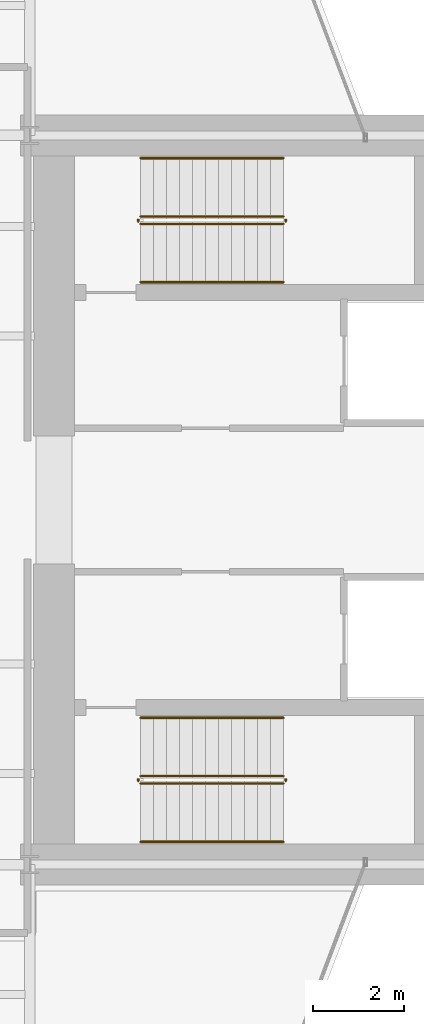
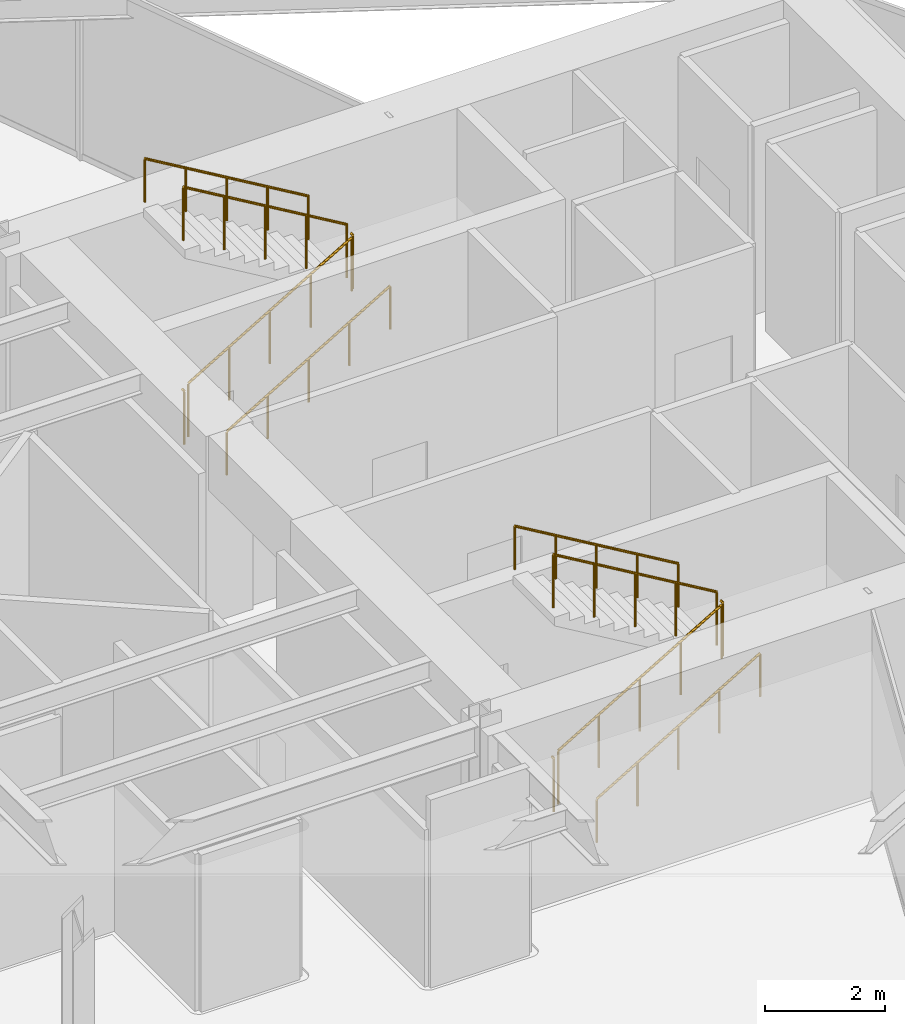
# One storey, part 30 of 30: 12 railings.
"""IFC4 building model written with IfcOpenShell, lengths in metres."""

from ifc_helpers import new_model, si_unit, direction, frame, origin, origin_2d, place, context, subcontext, project, spatial, circle, extrude, material, type_object, element, save


model = new_model("IFC4")

# Units and contexts
model_context = context("Model", 3, precision=1e-05, world=origin(), true_north=direction((0.0, 1.0)))
body_context = subcontext(model_context, "Body", "Model", "MODEL_VIEW")
ifc_project = project(units=[si_unit("LENGTHUNIT", "METRE"), si_unit("AREAUNIT", "SQUARE_METRE"), si_unit("VOLUMEUNIT", "CUBIC_METRE"), si_unit("PLANEANGLEUNIT", "RADIAN"), si_unit("MASSUNIT", "GRAM", prefix="KILO")], contexts=[model_context])

# Site, building, storey
site_placement = place(None, origin())
site = spatial("IfcSite", under=ifc_project, at=site_placement, CompositionType="ELEMENT")
building_placement = place(site_placement, origin())
building = spatial("IfcBuilding", under=site, at=building_placement, Name="Veymaron Broadcast Tower", CompositionType="ELEMENT")
storey_placement = place(building_placement, frame((0.0, 0.0, 37.800048828125)))
storey = spatial("IfcBuildingStorey", under=building, at=storey_placement, Name="L07", CompositionType="ELEMENT", Elevation=37.800048828125)

# Railings
ifc_material_1 = material(Name="Brushed stainless steel AISI 304", Category="steel")
railing_type_1 = type_object("IfcRailingType", Name="RAIL-STAIR-HR", PredefinedType="HANDRAIL", material=ifc_material_1)
railing_1_placement = place(storey_placement, frame((41.429931640625, 28.780029296875, 0.168701171875)))
element("IfcRailing", 1, at=railing_1_placement, inside=storey, type_object=railing_type_1, Name="L07 ST1 stair handrail 1", PredefinedType="HANDRAIL", context=body_context, shape_type="SweptSolid", body=[
    extrude(circle(Radius=0.02392578125, at=origin_2d()), frame((0.0, 0.0, 0.8759765625), z_axis=(0.860481960309, 0.0, 0.509480908359), x_axis=(0.0, 1.0, 0.0)), (0.0, 0.0, 1.0), 3.643310546875),
    extrude(circle(Radius=0.02099609375, at=origin_2d()), origin(), (0.0, 0.0, 1.0), 0.851806640625),
    extrude(circle(Radius=0.02099609375, at=origin_2d()), frame((0.78369140625, 0.0, 0.464111328125)), (0.0, 0.0, 1.0), 0.851806640625),
    extrude(circle(Radius=0.02099609375, at=origin_2d()), frame((1.5673828125, 0.0, 0.92822265625)), (0.0, 0.0, 1.0), 0.851806640625),
    extrude(circle(Radius=0.02099609375, at=origin_2d()), frame((2.351318359375, 0.0, 1.39208984375)), (0.0, 0.0, 1.0), 0.851806640625),
    extrude(circle(Radius=0.02099609375, at=origin_2d()), frame((3.135009765625, 0.0, 1.856201171875)), (0.0, 0.0, 1.0), 0.851806640625),
])
railing_2_placement = place(storey_placement, frame((44.56494140625, 31.5, 2.193603515625)))
element("IfcRailing", 2, at=railing_2_placement, inside=storey, type_object=railing_type_1, Name="L07 ST1 stair handrail 2", PredefinedType="HANDRAIL", context=body_context, shape_type="SweptSolid", body=[
    extrude(circle(Radius=0.02392578125, at=origin_2d()), frame((0.0, 0.0, 0.8759765625), z_axis=(-0.860452582533, 0.0, 0.509530522356), x_axis=(0.0, -1.0, 0.0)), (0.0, 0.0, 1.0), 3.6435546875),
    extrude(circle(Radius=0.02099609375, at=origin_2d()), origin(), (0.0, 0.0, 1.0), 0.851806640625),
    extrude(circle(Radius=0.02099609375, at=origin_2d()), frame((-0.78369140625, 0.0, 0.464111328125)), (0.0, 0.0, 1.0), 0.851806640625),
    extrude(circle(Radius=0.02099609375, at=origin_2d()), frame((-1.5673828125, 0.0, 0.92822265625)), (0.0, 0.0, 1.0), 0.851806640625),
    extrude(circle(Radius=0.02099609375, at=origin_2d()), frame((-2.351318359375, 0.0, 1.392333984375)), (0.0, 0.0, 1.0), 0.851806640625),
    extrude(circle(Radius=0.02099609375, at=origin_2d()), frame((-3.135009765625, 0.0, 1.8564453125)), (0.0, 0.0, 1.0), 0.851806640625),
])
railing_3_placement = place(storey_placement, frame((41.429931640625, 16.5, 0.168701171875)))
element("IfcRailing", 3, at=railing_3_placement, inside=storey, type_object=railing_type_1, Name="L07 ST2 stair handrail 1", PredefinedType="HANDRAIL", context=body_context, shape_type="SweptSolid", body=[
    extrude(circle(Radius=0.02392578125, at=origin_2d()), frame((0.0, 0.0, 0.8759765625), z_axis=(0.860481960309, 0.0, 0.509480908359), x_axis=(0.0, 1.0, 0.0)), (0.0, 0.0, 1.0), 3.643310546875),
    extrude(circle(Radius=0.02099609375, at=origin_2d()), origin(), (0.0, 0.0, 1.0), 0.851806640625),
    extrude(circle(Radius=0.02099609375, at=origin_2d()), frame((0.78369140625, 0.0, 0.464111328125)), (0.0, 0.0, 1.0), 0.851806640625),
    extrude(circle(Radius=0.02099609375, at=origin_2d()), frame((1.5673828125, 0.0, 0.92822265625)), (0.0, 0.0, 1.0), 0.851806640625),
    extrude(circle(Radius=0.02099609375, at=origin_2d()), frame((2.351318359375, 0.0, 1.39208984375)), (0.0, 0.0, 1.0), 0.851806640625),
    extrude(circle(Radius=0.02099609375, at=origin_2d()), frame((3.135009765625, 0.0, 1.856201171875)), (0.0, 0.0, 1.0), 0.851806640625),
])
railing_4_placement = place(storey_placement, frame((44.56494140625, 19.219970703125, 2.193603515625)))
element("IfcRailing", 4, at=railing_4_placement, inside=storey, type_object=railing_type_1, Name="L07 ST2 stair handrail 2", PredefinedType="HANDRAIL", context=body_context, shape_type="SweptSolid", body=[
    extrude(circle(Radius=0.02392578125, at=origin_2d()), frame((0.0, 0.0, 0.8759765625), z_axis=(-0.860452582533, 0.0, 0.509530522356), x_axis=(0.0, -1.0, 0.0)), (0.0, 0.0, 1.0), 3.6435546875),
    extrude(circle(Radius=0.02099609375, at=origin_2d()), origin(), (0.0, 0.0, 1.0), 0.851806640625),
    extrude(circle(Radius=0.02099609375, at=origin_2d()), frame((-0.78369140625, 0.0, 0.464111328125)), (0.0, 0.0, 1.0), 0.851806640625),
    extrude(circle(Radius=0.02099609375, at=origin_2d()), frame((-1.5673828125, 0.0, 0.92822265625)), (0.0, 0.0, 1.0), 0.851806640625),
    extrude(circle(Radius=0.02099609375, at=origin_2d()), frame((-2.351318359375, 0.0, 1.392333984375)), (0.0, 0.0, 1.0), 0.851806640625),
    extrude(circle(Radius=0.02099609375, at=origin_2d()), frame((-3.135009765625, 0.0, 1.8564453125)), (0.0, 0.0, 1.0), 0.851806640625),
])
ifc_material_2 = material(Name="Painted galvanized steel balustrade", Category="steel")
railing_type_2 = type_object("IfcRailingType", Name="RAIL-WELL-GRD", PredefinedType="GUARDRAIL", material=ifc_material_2)
railing_5_placement = place(storey_placement, frame((41.429931640625, 30.06005859375, 0.168701171875)))
element("IfcRailing", 5, at=railing_5_placement, inside=storey, type_object=railing_type_2, Name="L07 ST1 stair guard 1", PredefinedType="GUARDRAIL", context=body_context, shape_type="SweptSolid", body=[
    extrude(circle(Radius=0.02392578125, at=origin_2d()), frame((0.0, 0.0, 1.076171875), z_axis=(0.860481960309, 0.0, 0.509480908359), x_axis=(0.0, 1.0, 0.0)), (0.0, 0.0, 1.0), 3.643310546875),
    extrude(circle(Radius=0.02099609375, at=origin_2d()), origin(), (0.0, 0.0, 1.0), 1.052001953125),
    extrude(circle(Radius=0.02099609375, at=origin_2d()), frame((0.78369140625, 0.0, 0.464111328125)), (0.0, 0.0, 1.0), 1.052001953125),
    extrude(circle(Radius=0.02099609375, at=origin_2d()), frame((1.5673828125, 0.0, 0.92822265625)), (0.0, 0.0, 1.0), 1.052001953125),
    extrude(circle(Radius=0.02099609375, at=origin_2d()), frame((2.351318359375, 0.0, 1.39208984375)), (0.0, 0.0, 1.0), 1.052001953125),
    extrude(circle(Radius=0.02099609375, at=origin_2d()), frame((3.135009765625, 0.0, 1.856201171875)), (0.0, 0.0, 1.0), 1.052001953125),
])
railing_6_placement = place(storey_placement, frame((44.614990234375, 30.110107421875, 2.02490234375)))
element("IfcRailing", 6, at=railing_6_placement, inside=storey, type_object=railing_type_2, Name="L07 ST1 stair guard 2", PredefinedType="GUARDRAIL", context=body_context, shape_type="SweptSolid", body=[
    extrude(circle(Radius=0.02392578125, at=origin_2d()), frame((0.0, 0.0, 1.076171875), z_axis=(0.0, 1.0, 0.0), x_axis=(-1.0, 0.0, 0.0)), (0.0, 0.0, 1.0), 0.059814453125),
    extrude(circle(Radius=0.02099609375, at=origin_2d()), origin(), (0.0, 0.0, 1.0), 1.052001953125),
])
railing_7_placement = place(storey_placement, frame((44.56494140625, 30.219970703125, 2.193603515625)))
element("IfcRailing", 7, at=railing_7_placement, inside=storey, type_object=railing_type_2, Name="L07 ST1 stair guard 3", PredefinedType="GUARDRAIL", context=body_context, shape_type="SweptSolid", body=[
    extrude(circle(Radius=0.02392578125, at=origin_2d()), frame((0.0, 0.0, 1.076171875), z_axis=(-0.860452582533, 0.0, 0.509530522356), x_axis=(0.0, -1.0, 0.0)), (0.0, 0.0, 1.0), 3.6435546875),
    extrude(circle(Radius=0.02099609375, at=origin_2d()), origin(), (0.0, 0.0, 1.0), 1.052001953125),
    extrude(circle(Radius=0.02099609375, at=origin_2d()), frame((-0.78369140625, 0.0, 0.464111328125)), (0.0, 0.0, 1.0), 1.052001953125),
    extrude(circle(Radius=0.02099609375, at=origin_2d()), frame((-1.5673828125, 0.0, 0.92822265625)), (0.0, 0.0, 1.0), 1.052001953125),
    extrude(circle(Radius=0.02099609375, at=origin_2d()), frame((-2.351318359375, 0.0, 1.392333984375)), (0.0, 0.0, 1.0), 1.052001953125),
    extrude(circle(Radius=0.02099609375, at=origin_2d()), frame((-3.135009765625, 0.0, 1.8564453125)), (0.0, 0.0, 1.0), 1.052001953125),
])
railing_8_placement = place(storey_placement, frame((41.3798828125, 30.110107421875, 0.0)))
element("IfcRailing", 8, at=railing_8_placement, inside=storey, type_object=railing_type_2, Name="L07 ST1 stair guard 4", PredefinedType="GUARDRAIL", context=body_context, shape_type="SweptSolid", body=[
    extrude(circle(Radius=0.02392578125, at=origin_2d()), frame((0.0, 0.0, 1.076171875), z_axis=(0.0, 1.0, 0.0), x_axis=(-1.0, 0.0, 0.0)), (0.0, 0.0, 1.0), 0.059814453125),
    extrude(circle(Radius=0.02099609375, at=origin_2d()), origin(), (0.0, 0.0, 1.0), 1.052001953125),
])
railing_9_placement = place(storey_placement, frame((41.429931640625, 17.780029296875, 0.168701171875)))
element("IfcRailing", 9, at=railing_9_placement, inside=storey, type_object=railing_type_2, Name="L07 ST2 stair guard 1", PredefinedType="GUARDRAIL", context=body_context, shape_type="SweptSolid", body=[
    extrude(circle(Radius=0.02392578125, at=origin_2d()), frame((0.0, 0.0, 1.076171875), z_axis=(0.860481960309, 0.0, 0.509480908359), x_axis=(0.0, 1.0, 0.0)), (0.0, 0.0, 1.0), 3.643310546875),
    extrude(circle(Radius=0.02099609375, at=origin_2d()), origin(), (0.0, 0.0, 1.0), 1.052001953125),
    extrude(circle(Radius=0.02099609375, at=origin_2d()), frame((0.78369140625, 0.0, 0.464111328125)), (0.0, 0.0, 1.0), 1.052001953125),
    extrude(circle(Radius=0.02099609375, at=origin_2d()), frame((1.5673828125, 0.0, 0.92822265625)), (0.0, 0.0, 1.0), 1.052001953125),
    extrude(circle(Radius=0.02099609375, at=origin_2d()), frame((2.351318359375, 0.0, 1.39208984375)), (0.0, 0.0, 1.0), 1.052001953125),
    extrude(circle(Radius=0.02099609375, at=origin_2d()), frame((3.135009765625, 0.0, 1.856201171875)), (0.0, 0.0, 1.0), 1.052001953125),
])
railing_10_placement = place(storey_placement, frame((44.614990234375, 17.830078125, 2.02490234375)))
element("IfcRailing", 10, at=railing_10_placement, inside=storey, type_object=railing_type_2, Name="L07 ST2 stair guard 2", PredefinedType="GUARDRAIL", context=body_context, shape_type="SweptSolid", body=[
    extrude(circle(Radius=0.02392578125, at=origin_2d()), frame((0.0, 0.0, 1.076171875), z_axis=(0.0, 1.0, 0.0), x_axis=(-1.0, 0.0, 0.0)), (0.0, 0.0, 1.0), 0.059814453125),
    extrude(circle(Radius=0.02099609375, at=origin_2d()), origin(), (0.0, 0.0, 1.0), 1.052001953125),
])
railing_11_placement = place(storey_placement, frame((44.56494140625, 17.93994140625, 2.193603515625)))
element("IfcRailing", 11, at=railing_11_placement, inside=storey, type_object=railing_type_2, Name="L07 ST2 stair guard 3", PredefinedType="GUARDRAIL", context=body_context, shape_type="SweptSolid", body=[
    extrude(circle(Radius=0.02392578125, at=origin_2d()), frame((0.0, 0.0, 1.076171875), z_axis=(-0.860452582533, 0.0, 0.509530522356), x_axis=(0.0, -1.0, 0.0)), (0.0, 0.0, 1.0), 3.6435546875),
    extrude(circle(Radius=0.02099609375, at=origin_2d()), origin(), (0.0, 0.0, 1.0), 1.052001953125),
    extrude(circle(Radius=0.02099609375, at=origin_2d()), frame((-0.78369140625, 0.0, 0.464111328125)), (0.0, 0.0, 1.0), 1.052001953125),
    extrude(circle(Radius=0.02099609375, at=origin_2d()), frame((-1.5673828125, 0.0, 0.92822265625)), (0.0, 0.0, 1.0), 1.052001953125),
    extrude(circle(Radius=0.02099609375, at=origin_2d()), frame((-2.351318359375, 0.0, 1.392333984375)), (0.0, 0.0, 1.0), 1.052001953125),
    extrude(circle(Radius=0.02099609375, at=origin_2d()), frame((-3.135009765625, 0.0, 1.8564453125)), (0.0, 0.0, 1.0), 1.052001953125),
])
railing_12_placement = place(storey_placement, frame((41.3798828125, 17.830078125, 0.0)))
element("IfcRailing", 12, at=railing_12_placement, inside=storey, type_object=railing_type_2, Name="L07 ST2 stair guard 4", PredefinedType="GUARDRAIL", context=body_context, shape_type="SweptSolid", body=[
    extrude(circle(Radius=0.02392578125, at=origin_2d()), frame((0.0, 0.0, 1.076171875), z_axis=(0.0, 1.0, 0.0), x_axis=(-1.0, 0.0, 0.0)), (0.0, 0.0, 1.0), 0.059814453125),
    extrude(circle(Radius=0.02099609375, at=origin_2d()), origin(), (0.0, 0.0, 1.0), 1.052001953125),
])

save(model, "model.ifc")
